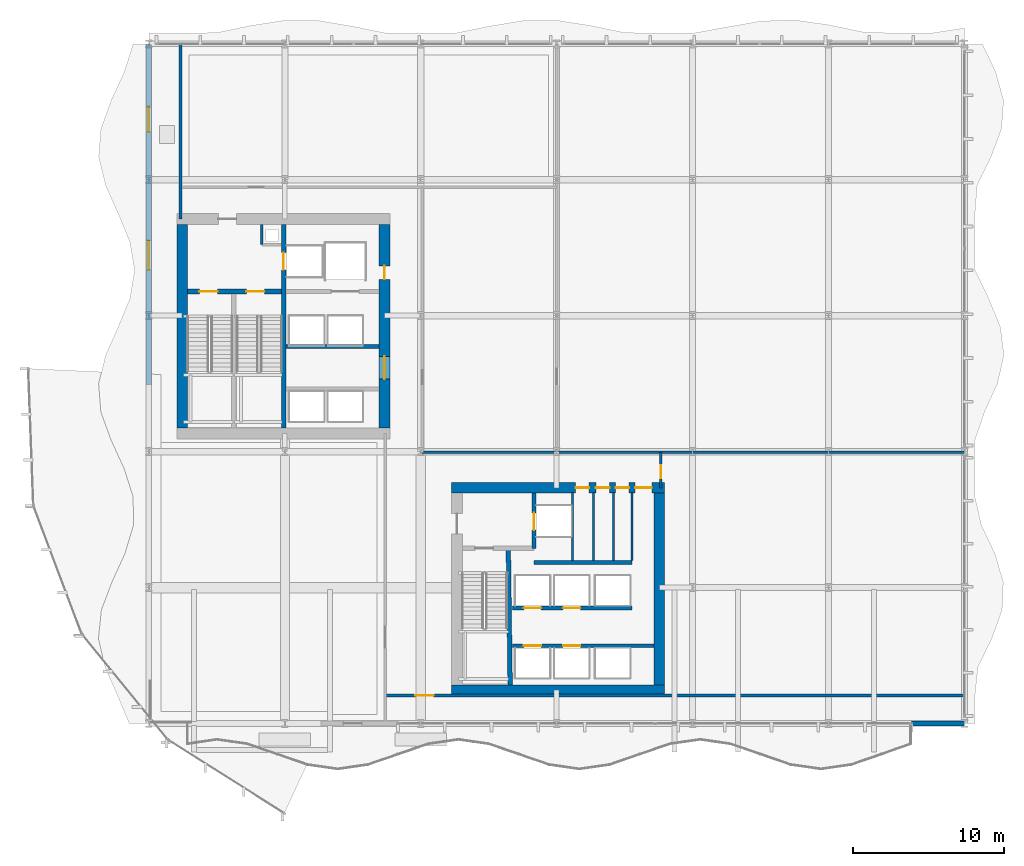
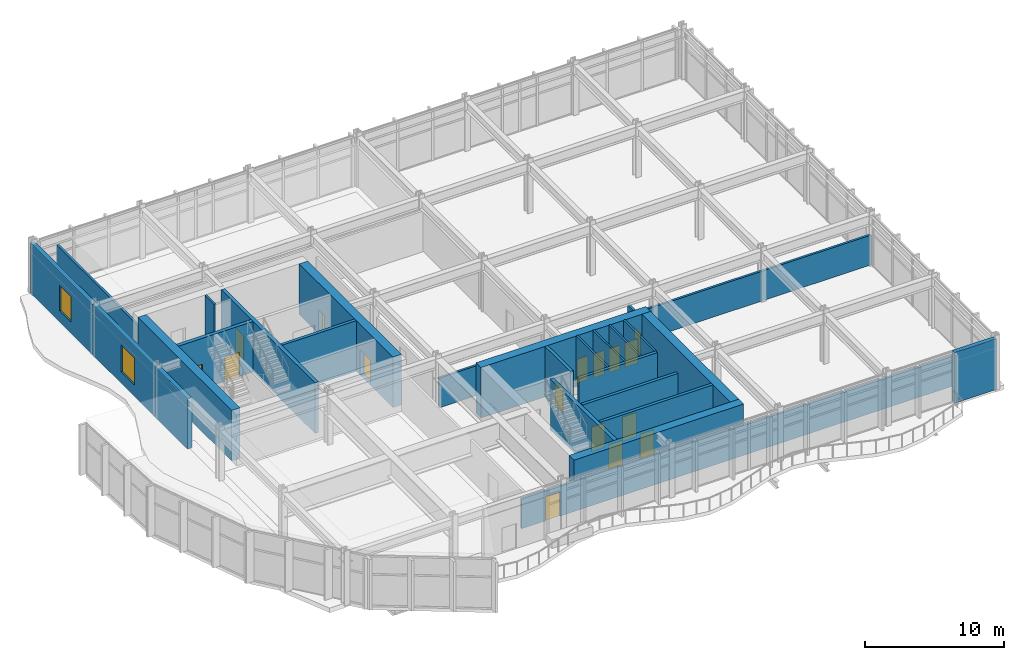
# One storey, part 22 of 31: 24 walls, 16 doors, 2 windows, 18 openings.
"""IFC4 building model written with IfcOpenShell, lengths in metres."""

import ifcopenshell
import ifcopenshell.guid

model = None  # the IFC model being written
_history = None  # IfcOwnerHistory: only IFC2X3 demands one
_inside = {}  # id of a spatial element -> (the spatial element, [elements in it])
_under = {}  # id of a project, library or spatial element -> (it, [spatial elements below it])
_declared = {}  # id of a project -> (the project, [libraries it declares])
_typed = {}  # id of a type object -> (the type object, [elements of that type])
_made_of = {}  # id of a material, layer set ... -> (it, [elements and type objects made of it])


def new_model(schema):
    """Start an empty IFC model of exactly this schema.

    Asked for "IFC4X3", IfcOpenShell would pick the latest addendum, in which some entities
    have other attributes; the version numbers below select the first issue.
    IFC2X3 requires an IfcOwnerHistory on every rooted entity: one is made here for all.
    """
    global model, _history
    if schema == "IFC4X3":
        model = ifcopenshell.file(schema_version=(4, 3, 0, 0))
    else:
        model = ifcopenshell.file(schema=schema)
    _inside.clear()
    _under.clear()
    _declared.clear()
    _typed.clear()
    _made_of.clear()
    _history = None
    if model.schema == "IFC2X3":
        org = make("IfcOrganization", Name="unknown")
        user = make(
            "IfcPersonAndOrganization",
            ThePerson=make("IfcPerson", FamilyName="unknown"),
            TheOrganization=org,
        )
        app = make(
            "IfcApplication",
            ApplicationDeveloper=org,
            Version="unknown",
            ApplicationFullName="unknown",
            ApplicationIdentifier="unknown",
        )
        _history = make(
            "IfcOwnerHistory",
            OwningUser=user,
            OwningApplication=app,
            ChangeAction="ADDED",
            CreationDate=0,
        )
    return model


def make(cls, **values):
    """One entity of the class cls with the attributes given. An attribute that is None is left unset."""
    return model.create_entity(
        cls, **{name: value for name, value in values.items() if value is not None}
    )


def rooted(cls, **values):
    """An entity with a GlobalId (a new one), such as an element, a storey or a relation."""
    return make(cls, GlobalId=ifcopenshell.guid.new(), OwnerHistory=_history, **values)


def si_unit(unit_type, name, prefix=None):
    """IfcSIUnit, for example si_unit("LENGTHUNIT", "METRE", prefix="MILLI")."""
    return make("IfcSIUnit", UnitType=unit_type, Prefix=prefix, Name=name)


def assignment(units):
    """IfcUnitAssignment: the units of a project."""
    return None if units is None else make("IfcUnitAssignment", Units=units)


def point(xyz):
    """IfcCartesianPoint."""
    return None if xyz is None else make("IfcCartesianPoint", Coordinates=xyz)


def direction(xyz):
    """IfcDirection."""
    return None if xyz is None else make("IfcDirection", DirectionRatios=xyz)


def frame(location, z_axis=None, x_axis=None):
    """IfcAxis2Placement3D, a coordinate frame: its origin and axes. An axis left out is left unset."""
    return make(
        "IfcAxis2Placement3D",
        Location=point(location),
        Axis=direction(z_axis),
        RefDirection=direction(x_axis),
    )


def frame_2d(location, x_axis=None):
    """IfcAxis2Placement2D, a coordinate frame in the plane: its origin and x axis."""
    return make(
        "IfcAxis2Placement2D", Location=point(location), RefDirection=direction(x_axis)
    )


def origin():
    """The frame at (0, 0, 0) with its axes left unset."""
    return frame((0.0, 0.0, 0.0))


def place(relative_to, where):
    """IfcLocalPlacement: puts the frame where relative to a parent placement (None: the world)."""
    return make(
        "IfcLocalPlacement", PlacementRelTo=relative_to, RelativePlacement=where
    )


def context(
    kind, dimensions, precision=None, world=None, true_north=None, identifier=None
):
    """IfcGeometricRepresentationContext, for example the 3D "Model" context."""
    return make(
        "IfcGeometricRepresentationContext",
        ContextIdentifier=identifier,
        ContextType=kind,
        CoordinateSpaceDimension=dimensions,
        Precision=precision,
        WorldCoordinateSystem=world,
        TrueNorth=true_north,
    )


def subcontext(parent, identifier, kind, view, scale=None):
    """IfcGeometricRepresentationSubContext, for example "Body" below "Model"."""
    return make(
        "IfcGeometricRepresentationSubContext",
        ContextIdentifier=identifier,
        ContextType=kind,
        ParentContext=parent,
        TargetScale=scale,
        TargetView=view,
    )


def project(units=None, contexts=None):
    """IfcProject with its units and contexts."""
    return rooted(
        "IfcProject",
        Name="project",
        RepresentationContexts=contexts,
        UnitsInContext=assignment(units),
    )


def spatial(cls, under=None, at=None, **own):
    """A site, building, storey or space (cls), placed at a placement, below another one or the project."""
    s = rooted(cls, ObjectPlacement=at, **own)
    if under is not None:
        _under.setdefault(under.id(), (under, []))[1].append(s)
    return s


def profile(cls, at=None, kind="AREA", **sizes):
    """A parametric profile (cls). Its sizes go by their IFC names, for example OverallWidth=200.0."""
    return make(cls, ProfileType=kind, Position=at, **sizes)


def rectangle(**sizes):
    """IfcRectangleProfileDef."""
    return profile("IfcRectangleProfileDef", **sizes)


def extrude(swept, where, along, depth):
    """IfcExtrudedAreaSolid: the profile swept, set in the frame where, extruded along a direction by depth."""
    return make(
        "IfcExtrudedAreaSolid",
        SweptArea=swept,
        Position=where,
        ExtrudedDirection=direction(along),
        Depth=depth,
    )


def shape(context_of_items, identifier, shape_type, items):
    """IfcShapeRepresentation: the items that make up one representation, for example the "Body"."""
    return make(
        "IfcShapeRepresentation",
        ContextOfItems=context_of_items,
        RepresentationIdentifier=identifier,
        RepresentationType=shape_type,
        Items=items,
    )


def material(Name=None, Category=None):
    """IfcMaterial."""
    return make("IfcMaterial", Name=Name, Category=Category)


def layer(
    of_material, thickness, ventilated=None, Name=None, Category=None, Priority=None
):
    """IfcMaterialLayer: one layer of a wall or slab, of a material (None: an air gap)."""
    return make(
        "IfcMaterialLayer",
        Material=of_material,
        LayerThickness=thickness,
        IsVentilated=ventilated,
        Name=Name,
        Category=Category,
        Priority=Priority,
    )


def layer_set(layers, Name=None):
    """IfcMaterialLayerSet."""
    return make("IfcMaterialLayerSet", MaterialLayers=layers, LayerSetName=Name)


def made_of(thing, what):
    """Note that an element or type object is made of a material, layer set ...; save() writes the relation."""
    if what is not None:
        _made_of.setdefault(what.id(), (what, []))[1].append(thing)
    return thing


def type_object(cls, material=None, **own):
    """A type object (cls), such as IfcWallType, which elements share."""
    return made_of(rooted(cls, **own), material)


def element(
    cls,
    number,
    at=None,
    inside=None,
    cuts=None,
    type_object=None,
    material=None,
    context=None,
    identifier="Body",
    shape_type=None,
    held_by="IfcProductDefinitionShape",
    body=None,
    shapes=None,
    **own,
):
    """One element of the class cls, such as IfcWall. Its Tag is "e" and its number.

    at: its placement. inside: the storey or other place that contains it. cuts: it is an
    opening in that element (IfcRelVoidsElement). A single representation is given by context,
    identifier, shape_type and body (its items); several are given by shapes. held_by: the class
    of the entity that holds the representations. save() writes the other relations.
    """
    e = rooted(cls, Tag="e%d" % number, ObjectPlacement=at, **own)
    if body is not None:
        shapes = [shape(context, identifier, shape_type, body)]
    if shapes is not None:
        e.Representation = make(held_by, Representations=shapes)
    if inside is not None:
        _inside.setdefault(inside.id(), (inside, []))[1].append(e)
    if cuts is not None:
        rooted(
            "IfcRelVoidsElement", RelatingBuildingElement=cuts, RelatedOpeningElement=e
        )
    if type_object is not None:
        _typed.setdefault(type_object.id(), (type_object, []))[1].append(e)
    return made_of(e, material)


def fill(opening, filler):
    """IfcRelFillsElement: the door or window that sits in an opening."""
    return rooted(
        "IfcRelFillsElement",
        RelatingOpeningElement=opening,
        RelatedBuildingElement=filler,
    )


def aggregate(whole, parts):
    """IfcRelAggregates: a whole, such as a stair, and the parts it consists of."""
    return rooted("IfcRelAggregates", RelatingObject=whole, RelatedObjects=parts)


def save(model, path):
    """Write the relations noted so far, then the file.

    IfcRelAggregates (storeys below a building ...), IfcRelContainedInSpatialStructure (elements
    in a storey), IfcRelDefinesByType, IfcRelAssociatesMaterial and IfcRelDeclares: one each for
    every whole, place, type object, material and project.
    """
    for whole, parts in _under.values():
        aggregate(whole, parts)
    for where, things in _inside.values():
        rooted(
            "IfcRelContainedInSpatialStructure",
            RelatedElements=things,
            RelatingStructure=where,
        )
    for kind, things in _typed.values():
        rooted("IfcRelDefinesByType", RelatedObjects=things, RelatingType=kind)
    for what, things in _made_of.values():
        rooted("IfcRelAssociatesMaterial", RelatedObjects=things, RelatingMaterial=what)
    for by, libraries in _declared.values():
        rooted("IfcRelDeclares", RelatingContext=by, RelatedDefinitions=libraries)
    model.write(path)


model = new_model("IFC4")

# Units and contexts
model_context = context("Model", 3, precision=1e-05, world=origin(), true_north=direction((0.0, 1.0)))
body_context = subcontext(model_context, "Body", "Model", "MODEL_VIEW")
ifc_project = project(units=[si_unit("LENGTHUNIT", "METRE"), si_unit("AREAUNIT", "SQUARE_METRE"), si_unit("VOLUMEUNIT", "CUBIC_METRE"), si_unit("PLANEANGLEUNIT", "RADIAN"), si_unit("MASSUNIT", "GRAM", prefix="KILO")], contexts=[model_context])

# Site, building, storey
site_placement = place(None, origin())
site = spatial("IfcSite", under=ifc_project, at=site_placement, CompositionType="ELEMENT")
building_placement = place(site_placement, origin())
building = spatial("IfcBuilding", under=site, at=building_placement, Name="Solvaryn Broadcast Tower", CompositionType="ELEMENT")
storey_placement = place(building_placement, frame((0.0, 0.0, 26.0)))
storey = spatial("IfcBuildingStorey", under=building, at=storey_placement, Name="L05", CompositionType="ELEMENT", Elevation=26.0)

# Wall
ifc_material_1 = material(Name="Concrete f'c 70 MPa", Category="concrete")
ifc_layer_1 = layer(ifc_material_1, 0.699951171875)
ifc_layer_set_1 = layer_set([ifc_layer_1], Name="CW-SHEAR-700")
wall_type_1 = type_object("IfcWallType", Name="CW-SHEAR-700", PredefinedType="SHEAR", material=ifc_layer_set_1)
wall_1_placement = place(storey_placement, frame((11.199951171875, 42.050048828125, 0.0), z_axis=(0.0, 0.0, 1.0), x_axis=(0.0, -1.0, 0.0)))
element("IfcWall", 1, at=wall_1_placement, inside=storey, type_object=wall_type_1, Name="L05 West Core West Shear Wall", PredefinedType="SHEAR", context=body_context, shape_type="SweptSolid", body=[
    extrude(rectangle(XDim=13.5, YDim=0.699951171875, at=frame_2d((6.75, 0.0))), origin(), (0.0, 0.0, 1.0), 4.43994140625),
])

# Wall, openings, doors
wall_2_placement = place(storey_placement, frame((24.60009765625, 28.550048828125, 0.0), z_axis=(0.0, 0.0, 1.0), x_axis=(0.0, 1.0, 0.0)))
wall_2 = element("IfcWall", 2, at=wall_2_placement, inside=storey, type_object=wall_type_1, Name="L05 West Core East Shear Wall", PredefinedType="SHEAR", context=body_context, shape_type="SweptSolid", body=[
    extrude(rectangle(XDim=13.5, YDim=0.699951171875, at=frame_2d((6.75, 0.0))), origin(), (0.0, 0.0, 1.0), 4.43994140625),
])
opening_1_placement = place(wall_2_placement, frame((3.25, 0.0, 0.0)))
opening_1 = element("IfcOpeningElement", 3, at=opening_1_placement, cuts=wall_2, Name="Opening FD60A", PredefinedType="OPENING", context=body_context, shape_type="SweptSolid", body=[
    extrude(rectangle(XDim=1.5, YDim=2.199951171875, at=frame_2d((0.75, 1.10009765625))), frame((0.0, 0.360107421875, 0.0), z_axis=(0.0, -1.0, 0.0), x_axis=(1.0, 0.0, 0.0)), (0.0, 0.0, 1.0), 0.719970703125),
])
opening_2_placement = place(wall_2_placement, frame((9.85009765625, 0.0, 0.0)))
opening_2 = element("IfcOpeningElement", 4, at=opening_2_placement, cuts=wall_2, Name="Opening FD60C", PredefinedType="OPENING", context=body_context, shape_type="SweptSolid", body=[
    extrude(rectangle(XDim=0.89990234375, YDim=2.10009765625, at=frame_2d((0.449951171875, 1.050048828125))), frame((0.0, 0.360107421875, 0.0), z_axis=(0.0, -1.0, 0.0), x_axis=(1.0, 0.0, 0.0)), (0.0, 0.0, 1.0), 0.719970703125),
])
ifc_material_2 = material(Name="Flush Acoustic Steel and Timber Door Assembly", Category="steel")
door_type_1 = type_object("IfcDoorType", Name="FD60-CORR-1500X2200", OperationType="NOTDEFINED", PredefinedType="DOOR", material=ifc_material_2)
door_1_placement = place(opening_1_placement, origin())
door_1 = element("IfcDoor", 5, at=door_1_placement, inside=storey, type_object=door_type_1, Name="L05 West Elevator Lobby Corridor Door", OperationType="DOUBLE_DOOR_SINGLE_SWING", OverallHeight=2.199951171875, OverallWidth=1.5, PredefinedType="DOOR", context=body_context, shape_type="SweptSolid", body=[
    extrude(rectangle(XDim=1.5, YDim=2.199951171875, at=frame_2d((0.75, 1.10009765625))), frame((0.0, 0.02490234375, 0.0), z_axis=(0.0, -1.0, 0.0), x_axis=(1.0, 0.0, 0.0)), (0.0, 0.0, 1.0), 0.050048828125),
])
fill(opening_1, door_1)
ifc_material_3 = material(Name="Flush Acoustic Steel and Timber Door Assembly", Category="steel")
door_type_2 = type_object("IfcDoorType", Name="FD60-SERV-900X2100", OperationType="NOTDEFINED", PredefinedType="DOOR", material=ifc_material_3)
door_2_placement = place(opening_2_placement, origin())
door_2 = element("IfcDoor", 6, at=door_2_placement, inside=storey, type_object=door_type_2, Name="L05 West Core Service Door 1", OperationType="SINGLE_SWING_LEFT", OverallHeight=2.10009765625, OverallWidth=0.89990234375, PredefinedType="DOOR", context=body_context, shape_type="SweptSolid", body=[
    extrude(rectangle(XDim=0.89990234375, YDim=2.10009765625, at=frame_2d((0.449951171875, 1.050048828125))), frame((0.0, 0.02490234375, 0.0), z_axis=(0.0, -1.0, 0.0), x_axis=(1.0, 0.0, 0.0)), (0.0, 0.0, 1.0), 0.050048828125),
])
fill(opening_2, door_2)

# Wall
wall_3_placement = place(storey_placement, frame((29.050048828125, 11.199951171875, 0.0), z_axis=(0.0, 0.0, 1.0), x_axis=(1.0, 0.0, 0.0)))
element("IfcWall", 7, at=wall_3_placement, inside=storey, type_object=wall_type_1, Name="L05 East Core South Shear Wall", PredefinedType="SHEAR", context=body_context, shape_type="SweptSolid", body=[
    extrude(rectangle(XDim=14.099853515625, YDim=0.699951171875, at=frame_2d((7.0498046875, 0.0))), origin(), (0.0, 0.0, 1.0), 4.43994140625),
])

# Wall, openings, doors
wall_4_placement = place(storey_placement, frame((43.14990234375, 24.60009765625, 0.0), z_axis=(0.0, 0.0, 1.0), x_axis=(-1.0, 0.0, 0.0)))
wall_4 = element("IfcWall", 8, at=wall_4_placement, inside=storey, type_object=wall_type_1, Name="L05 East Core North Shear Wall", PredefinedType="SHEAR", context=body_context, shape_type="SweptSolid", body=[
    extrude(rectangle(XDim=14.099853515625, YDim=0.699951171875, at=frame_2d((7.0498046875, 0.0))), origin(), (0.0, 0.0, 1.0), 4.43994140625),
])
opening_3_placement = place(wall_4_placement, frame((0.85009765625, 0.0, 0.0)))
opening_3 = element("IfcOpeningElement", 9, at=opening_3_placement, cuts=wall_4, Name="Opening FD90C", PredefinedType="OPENING", context=body_context, shape_type="SweptSolid", body=[
    extrude(rectangle(XDim=1.10009765625, YDim=2.14990234375, at=frame_2d((0.550048828125, 1.074951171875))), frame((0.0, 0.360107421875, 0.0), z_axis=(0.0, -1.0, 0.0), x_axis=(1.0, 0.0, 0.0)), (0.0, 0.0, 1.0), 0.719970703125),
])
opening_4_placement = place(wall_4_placement, frame((2.35009765625, 0.0, 0.0)))
opening_4 = element("IfcOpeningElement", 10, at=opening_4_placement, cuts=wall_4, Name="Opening FD60C", PredefinedType="OPENING", context=body_context, shape_type="SweptSolid", body=[
    extrude(rectangle(XDim=0.89990234375, YDim=2.10009765625, at=frame_2d((0.449951171875, 1.050048828125))), frame((0.0, 0.360107421875, 0.0), z_axis=(0.0, -1.0, 0.0), x_axis=(1.0, 0.0, 0.0)), (0.0, 0.0, 1.0), 0.719970703125),
])
opening_5_placement = place(wall_4_placement, frame((3.64990234375, 0.0, 0.0)))
opening_5 = element("IfcOpeningElement", 11, at=opening_5_placement, cuts=wall_4, Name="Opening FD60C", PredefinedType="OPENING", context=body_context, shape_type="SweptSolid", body=[
    extrude(rectangle(XDim=0.89990234375, YDim=2.10009765625, at=frame_2d((0.449951171875, 1.050048828125))), frame((0.0, 0.360107421875, 0.0), z_axis=(0.0, -1.0, 0.0), x_axis=(1.0, 0.0, 0.0)), (0.0, 0.0, 1.0), 0.719970703125),
])
opening_6_placement = place(wall_4_placement, frame((5.0, 0.0, 0.0)))
opening_6 = element("IfcOpeningElement", 12, at=opening_6_placement, cuts=wall_4, Name="Opening FD60C", PredefinedType="OPENING", context=body_context, shape_type="SweptSolid", body=[
    extrude(rectangle(XDim=0.89990234375, YDim=2.10009765625, at=frame_2d((0.449951171875, 1.050048828125))), frame((0.0, 0.360107421875, 0.0), z_axis=(0.0, -1.0, 0.0), x_axis=(1.0, 0.0, 0.0)), (0.0, 0.0, 1.0), 0.719970703125),
])
door_3_placement = place(opening_4_placement, origin())
door_3 = element("IfcDoor", 13, at=door_3_placement, inside=storey, type_object=door_type_2, Name="L05 Core Wellness Room Door", OperationType="SINGLE_SWING_RIGHT", OverallHeight=2.10009765625, OverallWidth=0.89990234375, PredefinedType="DOOR", context=body_context, shape_type="SweptSolid", body=[
    extrude(rectangle(XDim=0.89990234375, YDim=2.10009765625, at=frame_2d((0.449951171875, 1.050048828125))), frame((0.0, 0.02490234375, 0.0), z_axis=(0.0, -1.0, 0.0), x_axis=(1.0, 0.0, 0.0)), (0.0, 0.0, 1.0), 0.050048828125),
])
fill(opening_4, door_3)
door_4_placement = place(opening_5_placement, origin())
door_4 = element("IfcDoor", 14, at=door_4_placement, inside=storey, type_object=door_type_2, Name="L05 Staff Restroom Door", OperationType="SINGLE_SWING_LEFT", OverallHeight=2.10009765625, OverallWidth=0.89990234375, PredefinedType="DOOR", context=body_context, shape_type="SweptSolid", body=[
    extrude(rectangle(XDim=0.89990234375, YDim=2.10009765625, at=frame_2d((0.449951171875, 1.050048828125))), frame((0.0, 0.02490234375, 0.0), z_axis=(0.0, -1.0, 0.0), x_axis=(1.0, 0.0, 0.0)), (0.0, 0.0, 1.0), 0.050048828125),
])
fill(opening_5, door_4)
door_5_placement = place(opening_6_placement, origin())
door_5 = element("IfcDoor", 15, at=door_5_placement, inside=storey, type_object=door_type_2, Name="L05 Accessible WC Door", OperationType="SINGLE_SWING_RIGHT", OverallHeight=2.10009765625, OverallWidth=0.89990234375, PredefinedType="DOOR", context=body_context, shape_type="SweptSolid", body=[
    extrude(rectangle(XDim=0.89990234375, YDim=2.10009765625, at=frame_2d((0.449951171875, 1.050048828125))), frame((0.0, 0.02490234375, 0.0), z_axis=(0.0, -1.0, 0.0), x_axis=(1.0, 0.0, 0.0)), (0.0, 0.0, 1.0), 0.050048828125),
])
fill(opening_6, door_5)
ifc_material_4 = material(Name="Flush Acoustic Steel and Timber Door Assembly", Category="steel")
door_type_3 = type_object("IfcDoorType", Name="FD90-PLANT-1100X2150", OperationType="NOTDEFINED", PredefinedType="DOOR", material=ifc_material_4)
door_6_placement = place(opening_3_placement, origin())
door_6 = element("IfcDoor", 16, at=door_6_placement, inside=storey, type_object=door_type_3, Name="L05 East Core Lobby Corridor Door", OperationType="SINGLE_SWING_LEFT", OverallHeight=2.14990234375, OverallWidth=1.10009765625, PredefinedType="DOOR", context=body_context, shape_type="SweptSolid", body=[
    extrude(rectangle(XDim=1.10009765625, YDim=2.14990234375, at=frame_2d((0.550048828125, 1.074951171875))), frame((0.0, 0.02490234375, 0.0), z_axis=(0.0, -1.0, 0.0), x_axis=(1.0, 0.0, 0.0)), (0.0, 0.0, 1.0), 0.050048828125),
])
fill(opening_3, door_6)

# Walls
wall_5_placement = place(storey_placement, frame((42.800048828125, 11.550048828125, 0.0), z_axis=(0.0, 0.0, 1.0), x_axis=(0.0, 1.0, 0.0)))
element("IfcWall", 17, at=wall_5_placement, inside=storey, type_object=wall_type_1, Name="L05 East Core East Shear Wall", PredefinedType="SHEAR", context=body_context, shape_type="SweptSolid", body=[
    extrude(rectangle(XDim=12.699951171875, YDim=0.699951171875, at=frame_2d((6.35009765625, 0.0))), origin(), (0.0, 0.0, 1.0), 4.43994140625),
])
ifc_material_5 = material(Name="Concrete f'c 50 MPa", Category="concrete")
ifc_layer_2 = layer(ifc_material_5, 0.35009765625)
ifc_layer_set_2 = layer_set([ifc_layer_2], Name="EW-STUDIO-350")
wall_type_2 = type_object("IfcWallType", Name="EW-STUDIO-350", PredefinedType="SOLIDWALL", material=ifc_layer_set_2)
wall_6_placement = place(storey_placement, frame((63.0, 9.0, 0.0), z_axis=(0.0, 0.0, 1.0), x_axis=(-1.0, 0.0, 0.0)))
element("IfcWall", 18, at=wall_6_placement, inside=storey, type_object=wall_type_2, Name="L05 Podium SE Corner Pier Wall", PredefinedType="SOLIDWALL", context=body_context, shape_type="SweptSolid", body=[
    extrude(rectangle(XDim=3.5, YDim=0.35009765625, at=frame_2d((1.75, 0.0))), origin(), (0.0, 0.0, 1.0), 4.43994140625),
])

# Wall, openings, windows
wall_7_placement = place(storey_placement, frame((9.0, 31.39990234375, 0.0), z_axis=(0.0, 0.0, 1.0), x_axis=(0.0, 1.0, 0.0)))
wall_7 = element("IfcWall", 19, at=wall_7_placement, inside=storey, type_object=wall_type_2, Name="L05 Podium West Door & Corner Wall", PredefinedType="SOLIDWALL", context=body_context, shape_type="SweptSolid", body=[
    extrude(rectangle(XDim=22.60009765625, YDim=0.35009765625, at=frame_2d((11.300048828125, 0.0))), origin(), (0.0, 0.0, 1.0), 4.43994140625),
])
opening_7_placement = place(wall_7_placement, frame((7.625, 0.0, 1.0)))
opening_7 = element("IfcOpeningElement", 20, at=opening_7_placement, cuts=wall_7, Name="Opening WN10", PredefinedType="OPENING", context=body_context, shape_type="SweptSolid", body=[
    extrude(rectangle(XDim=1.949951171875, YDim=2.39990234375, at=frame_2d((0.97509765625, 1.199951171875))), frame((0.0, 0.18505859375, 0.0), z_axis=(0.0, -1.0, 0.0), x_axis=(1.0, 0.0, 0.0)), (0.0, 0.0, 1.0), 0.3701171875),
])
opening_8_placement = place(wall_7_placement, frame((16.77490234375, 0.0, 1.0)))
opening_8 = element("IfcOpeningElement", 21, at=opening_8_placement, cuts=wall_7, Name="Opening WN09", PredefinedType="OPENING", context=body_context, shape_type="SweptSolid", body=[
    extrude(rectangle(XDim=1.64990234375, YDim=2.25, at=frame_2d((0.824951171875, 1.125))), frame((0.0, 0.18505859375, 0.0), z_axis=(0.0, -1.0, 0.0), x_axis=(1.0, 0.0, 0.0)), (0.0, 0.0, 1.0), 0.3701171875),
])
ifc_material_6 = material(Name="Thermally Broken Aluminium Acoustic Glazing", Category="aluminium")
window_type_1 = type_object("IfcWindowType", Name="WN-09-1650X2250", PartitioningType="SINGLE_PANEL", PredefinedType="WINDOW", material=ifc_material_6)
window_1_placement = place(opening_8_placement, origin())
window_1 = element("IfcWindow", 22, at=window_1_placement, inside=storey, type_object=window_type_1, Name="L05 West Studio Acoustic Window 2", OverallHeight=2.25, OverallWidth=1.64990234375, PartitioningType="SINGLE_PANEL", PredefinedType="WINDOW", context=body_context, shape_type="SweptSolid", body=[
    extrude(rectangle(XDim=1.64990234375, YDim=2.25, at=frame_2d((0.824951171875, 1.125))), frame((0.0, 0.030029296875, 0.0), z_axis=(0.0, -1.0, 0.0), x_axis=(1.0, 0.0, 0.0)), (0.0, 0.0, 1.0), 0.06005859375),
])
fill(opening_8, window_1)
ifc_material_7 = material(Name="Thermally Broken Aluminium Acoustic Glazing", Category="aluminium")
window_type_2 = type_object("IfcWindowType", Name="WN-10-1950X2400", PartitioningType="SINGLE_PANEL", PredefinedType="WINDOW", material=ifc_material_7)
window_2_placement = place(opening_7_placement, origin())
window_2 = element("IfcWindow", 23, at=window_2_placement, inside=storey, type_object=window_type_2, Name="L05 West Studio Acoustic Window 1", OverallHeight=2.39990234375, OverallWidth=1.949951171875, PartitioningType="SINGLE_PANEL", PredefinedType="WINDOW", context=body_context, shape_type="SweptSolid", body=[
    extrude(rectangle(XDim=1.949951171875, YDim=2.39990234375, at=frame_2d((0.97509765625, 1.199951171875))), frame((0.0, 0.030029296875, 0.0), z_axis=(0.0, -1.0, 0.0), x_axis=(1.0, 0.0, 0.0)), (0.0, 0.0, 1.0), 0.06005859375),
])
fill(opening_7, window_2)

# Walls
ifc_material_8 = material(Name="Metal-Stud Service Core Partition")
ifc_layer_3 = layer(ifc_material_8, 0.14990234375)
ifc_layer_set_3 = layer_set([ifc_layer_3], Name="IW-PART-150")
wall_type_3 = type_object("IfcWallType", Name="IW-PART-150", PredefinedType="PARTITIONING", material=ifc_layer_set_3)
wall_8_placement = place(storey_placement, frame((16.47998046875, 40.699951171875, 0.0), z_axis=(0.0, 0.0, 1.0), x_axis=(0.0, 1.0, 0.0)))
element("IfcWall", 24, at=wall_8_placement, inside=storey, type_object=wall_type_3, Name="L05 West Core Riser Shaft West Wall", PredefinedType="PARTITIONING", context=body_context, shape_type="SweptSolid", body=[
    extrude(rectangle(XDim=1.35009765625, YDim=0.14990234375, at=frame_2d((0.675048828125, 0.0))), origin(), (0.0, 0.0, 1.0), 4.43994140625),
])
for number, where, z_axis, x_axis, name in (
    (25, (37.050048828125, 19.780029296875, 0.0), (0.0, 0.0, 1.0), (0.0, 1.0, 0.0), "L05 Interior Partition IW-L05-CE-FL2E"),
    (26, (38.43994140625, 19.780029296875, 0.0), (0.0, 0.0, 1.0), (0.0, 1.0, 0.0), "L05 Interior Partition IW-L05-CE-V1"),
    (27, (39.77001953125, 19.780029296875, 0.0), (0.0, 0.0, 1.0), (0.0, 1.0, 0.0), "L05 Interior Partition IW-L05-CE-V2"),
    (28, (40.97998046875, 19.780029296875, 0.0), (0.0, 0.0, 1.0), (0.0, 1.0, 0.0), "L05 Interior Partition IW-L05-CE-V3"),
):
    element("IfcWall", number, at=place(storey_placement, frame(where, z_axis=z_axis, x_axis=x_axis)), inside=storey, type_object=wall_type_3, Name=name, PredefinedType="PARTITIONING", context=body_context, shape_type="SweptSolid", body=[
        extrude(rectangle(XDim=4.52001953125, YDim=0.14990234375, at=frame_2d((2.260009765625, 0.0))), origin(), (0.0, 0.0, 1.0), 4.43994140625),
    ])

# Wall, opening, door
ifc_material_9 = material(Name="Acoustic Metal-Stud Gypsum Partition")
ifc_layer_4 = layer(ifc_material_9, 0.179931640625)
ifc_layer_set_4 = layer_set([ifc_layer_4], Name="IW-PART-180")
wall_type_4 = type_object("IfcWallType", Name="IW-PART-180", PredefinedType="PARTITIONING", material=ifc_layer_set_4)
wall_9_placement = place(storey_placement, frame((24.64990234375, 10.85009765625, 0.0), z_axis=(0.0, 0.0, 1.0), x_axis=(1.0, 0.0, 0.0)))
wall_9 = element("IfcWall", 29, at=wall_9_placement, inside=storey, type_object=wall_type_4, Name="L05 Interior Partition IW-L05-PW2", PredefinedType="PARTITIONING", context=body_context, shape_type="SweptSolid", body=[
    extrude(rectangle(XDim=38.35009765625, YDim=0.179931640625, at=frame_2d((19.175048828125, 0.0))), origin(), (0.0, 0.0, 1.0), 2.6201171875),
])
opening_9_placement = place(wall_9_placement, frame((2.0, 0.0, 0.0)))
opening_9 = element("IfcOpeningElement", 30, at=opening_9_placement, cuts=wall_9, Name="Opening ID04", PredefinedType="OPENING", context=body_context, shape_type="SweptSolid", body=[
    extrude(rectangle(XDim=1.199951171875, YDim=2.14990234375, at=frame_2d((0.60009765625, 1.074951171875))), frame((0.0, 0.099853515625, 0.0), z_axis=(0.0, -1.0, 0.0), x_axis=(1.0, 0.0, 0.0)), (0.0, 0.0, 1.0), 0.199951171875),
])
ifc_material_10 = material(Name="Flush Acoustic Steel and Timber Door Assembly", Category="steel")
door_type_4 = type_object("IfcDoorType", Name="ID-04-1200X2150", OperationType="NOTDEFINED", PredefinedType="DOOR", material=ifc_material_10)
door_7_placement = place(opening_9_placement, origin())
door_7 = element("IfcDoor", 31, at=door_7_placement, inside=storey, type_object=door_type_4, Name="L05 Door DR-L05-PD2", OperationType="SINGLE_SWING_RIGHT", OverallHeight=2.14990234375, OverallWidth=1.199951171875, PredefinedType="DOOR", context=body_context, shape_type="SweptSolid", body=[
    extrude(rectangle(XDim=1.199951171875, YDim=2.14990234375, at=frame_2d((0.60009765625, 1.074951171875))), frame((0.0, 0.02490234375, 0.0), z_axis=(0.0, -1.0, 0.0), x_axis=(1.0, 0.0, 0.0)), (0.0, 0.0, 1.0), 0.050048828125),
])
fill(opening_9, door_7)

wall_10_placement = place(storey_placement, frame((42.89990234375, 24.60009765625, 0.0), z_axis=(0.0, 0.0, 1.0), x_axis=(0.0, 1.0, 0.0)))
wall_10 = element("IfcWall", 32, at=wall_10_placement, inside=storey, type_object=wall_type_4, Name="L05 Interior Partition IW-L05-PW4", PredefinedType="PARTITIONING", context=body_context, shape_type="SweptSolid", body=[
    extrude(rectangle(XDim=2.349853515625, YDim=0.179931640625, at=frame_2d((1.1748046875, 0.0))), origin(), (0.0, 0.0, 1.0), 3.492919921875),
])
opening_10_placement = place(wall_10_placement, frame((0.64990234375, 0.0, 0.0)))
opening_10 = element("IfcOpeningElement", 33, at=opening_10_placement, cuts=wall_10, Name="Opening ID07", PredefinedType="OPENING", context=body_context, shape_type="SweptSolid", body=[
    extrude(rectangle(XDim=0.860107421875, YDim=2.050048828125, at=frame_2d((0.43017578125, 1.02490234375))), frame((0.0, 0.099853515625, 0.0), z_axis=(0.0, -1.0, 0.0), x_axis=(1.0, 0.0, 0.0)), (0.0, 0.0, 1.0), 0.199951171875),
])
ifc_material_11 = material(Name="Flush Acoustic Steel and Timber Door Assembly", Category="steel")
door_type_5 = type_object("IfcDoorType", Name="ID-07-860X2050", OperationType="NOTDEFINED", PredefinedType="DOOR", material=ifc_material_11)
door_8_placement = place(opening_10_placement, origin())
door_8 = element("IfcDoor", 34, at=door_8_placement, inside=storey, type_object=door_type_5, Name="L05 Door DR-L05-PD3", OperationType="SINGLE_SWING_LEFT", OverallHeight=2.050048828125, OverallWidth=0.860107421875, PredefinedType="DOOR", context=body_context, shape_type="SweptSolid", body=[
    extrude(rectangle(XDim=0.860107421875, YDim=2.050048828125, at=frame_2d((0.43017578125, 1.02490234375))), frame((0.0, 0.02490234375, 0.0), z_axis=(0.0, -1.0, 0.0), x_axis=(1.0, 0.0, 0.0)), (0.0, 0.0, 1.0), 0.050048828125),
])
fill(opening_10, door_8)

# Walls
wall_11_placement = place(storey_placement, frame((27.10009765625, 26.949951171875, 0.0), z_axis=(0.0, 0.0, 1.0), x_axis=(1.0, 0.0, 0.0)))
element("IfcWall", 35, at=wall_11_placement, inside=storey, type_object=wall_type_4, Name="L05 Interior Partition IW-L05-PW5", PredefinedType="PARTITIONING", context=body_context, shape_type="SweptSolid", body=[
    extrude(rectangle(XDim=35.89990234375, YDim=0.179931640625, at=frame_2d((17.949951171875, 0.0))), origin(), (0.0, 0.0, 1.0), 2.6201171875),
])
wall_12_placement = place(storey_placement, frame((11.10009765625, 42.39990234375, 0.0), z_axis=(0.0, 0.0, 1.0), x_axis=(0.0, 1.0, 0.0)))
element("IfcWall", 36, at=wall_12_placement, inside=storey, type_object=wall_type_4, Name="L05 Interior Partition IW-L05-PW9", PredefinedType="PARTITIONING", context=body_context, shape_type="SweptSolid", body=[
    extrude(rectangle(XDim=11.60009765625, YDim=0.179931640625, at=frame_2d((5.800048828125, 0.0))), origin(), (0.0, 0.0, 1.0), 3.492919921875),
])
ifc_material_12 = material(Name="Concrete f'c 60 MPa", Category="concrete")
ifc_layer_5 = layer(ifc_material_12, 0.25)
ifc_layer_set_5 = layer_set([ifc_layer_5], Name="SW-SHAFT-250")
wall_type_5 = type_object("IfcWallType", Name="SW-SHAFT-250", PredefinedType="PARTITIONING", material=ifc_layer_set_5)
wall_13_placement = place(storey_placement, frame((24.25, 33.949951171875, 0.0), z_axis=(0.0, 0.0, 1.0), x_axis=(-1.0, 0.0, 0.0)))
element("IfcWall", 37, at=wall_13_placement, inside=storey, type_object=wall_type_5, Name="L05 High-Rise Lift Bank North Wall", PredefinedType="PARTITIONING", context=body_context, shape_type="SweptSolid", body=[
    extrude(rectangle(XDim=6.179931640625, YDim=0.25, at=frame_2d((3.08984375, 0.0))), origin(), (0.0, 0.0, 1.0), 4.43994140625),
])

# Wall, opening, door
wall_14_placement = place(storey_placement, frame((34.5, 20.60009765625, 0.0), z_axis=(0.0, 0.0, 1.0), x_axis=(0.0, 1.0, 0.0)))
wall_14 = element("IfcWall", 38, at=wall_14_placement, inside=storey, type_object=wall_type_5, Name="L05 East FSAE Lobby East Wall", PredefinedType="PARTITIONING", context=body_context, shape_type="SweptSolid", body=[
    extrude(rectangle(XDim=3.64990234375, YDim=0.25, at=frame_2d((1.824951171875, 0.0))), origin(), (0.0, 0.0, 1.0), 4.43994140625),
])
opening_11_placement = place(wall_14_placement, frame((1.199951171875, 0.0, 0.0)))
opening_11 = element("IfcOpeningElement", 39, at=opening_11_placement, cuts=wall_14, Name="Opening LD01", PredefinedType="OPENING", context=body_context, shape_type="SweptSolid", body=[
    extrude(rectangle(XDim=1.14990234375, YDim=2.14990234375, at=frame_2d((0.574951171875, 1.074951171875))), frame((0.0, 0.135009765625, 0.0), z_axis=(0.0, -1.0, 0.0), x_axis=(1.0, 0.0, 0.0)), (0.0, 0.0, 1.0), 0.27001953125),
])
ifc_material_13 = material(Name="Flush Acoustic Steel and Timber Door Assembly", Category="steel")
door_type_6 = type_object("IfcDoorType", Name="LD-LIFT-1150X2150", OperationType="NOTDEFINED", PredefinedType="DOOR", material=ifc_material_13)
door_9_placement = place(opening_11_placement, origin())
door_9 = element("IfcDoor", 40, at=door_9_placement, inside=storey, type_object=door_type_6, Name="L05 FL2 Lift Landing Door", OperationType="DOUBLE_DOOR_SLIDING", OverallHeight=2.14990234375, OverallWidth=1.14990234375, PredefinedType="DOOR", context=body_context, shape_type="SweptSolid", body=[
    extrude(rectangle(XDim=1.14990234375, YDim=2.14990234375, at=frame_2d((0.574951171875, 1.074951171875))), frame((0.0, 0.02490234375, 0.0), z_axis=(0.0, -1.0, 0.0), x_axis=(1.0, 0.0, 0.0)), (0.0, 0.0, 1.0), 0.050048828125),
])
fill(opening_11, door_9)

# Wall
wall_15_placement = place(storey_placement, frame((34.5, 19.64990234375, 0.0), z_axis=(0.0, 0.0, 1.0), x_axis=(1.0, 0.0, 0.0)))
element("IfcWall", 41, at=wall_15_placement, inside=storey, type_object=wall_type_5, Name="L05 East Core Restroom South Wall", PredefinedType="PARTITIONING", context=body_context, shape_type="SweptSolid", body=[
    extrude(rectangle(XDim=6.47998046875, YDim=0.25, at=frame_2d((3.239990234375, 0.0))), origin(), (0.0, 0.0, 1.0), 4.43994140625),
])

# Wall, openings, doors
wall_16_placement = place(storey_placement, frame((33.070068359375, 14.14990234375, 0.0), z_axis=(0.0, 0.0, 1.0), x_axis=(1.0, 0.0, 0.0)))
wall_16 = element("IfcWall", 42, at=wall_16_placement, inside=storey, type_object=wall_type_5, Name="L05 East Lift Bank South Wall", PredefinedType="PARTITIONING", context=body_context, shape_type="SweptSolid", body=[
    extrude(rectangle(XDim=9.3798828125, YDim=0.25, at=frame_2d((4.68994140625, 0.0))), origin(), (0.0, 0.0, 1.0), 4.43994140625),
])
opening_12_placement = place(wall_16_placement, frame((0.7548828125, 0.0, 0.0)))
opening_12 = element("IfcOpeningElement", 43, at=opening_12_placement, cuts=wall_16, Name="Opening LD01", PredefinedType="OPENING", context=body_context, shape_type="SweptSolid", body=[
    extrude(rectangle(XDim=1.14990234375, YDim=2.14990234375, at=frame_2d((0.574951171875, 1.074951171875))), frame((0.0, 0.135009765625, 0.0), z_axis=(0.0, -1.0, 0.0), x_axis=(1.0, 0.0, 0.0)), (0.0, 0.0, 1.0), 0.27001953125),
])
opening_13_placement = place(wall_16_placement, frame((3.35498046875, 0.0, 0.0)))
opening_13 = element("IfcOpeningElement", 44, at=opening_13_placement, cuts=wall_16, Name="Opening LD01", PredefinedType="OPENING", context=body_context, shape_type="SweptSolid", body=[
    extrude(rectangle(XDim=1.14990234375, YDim=2.14990234375, at=frame_2d((0.574951171875, 1.074951171875))), frame((0.0, 0.135009765625, 0.0), z_axis=(0.0, -1.0, 0.0), x_axis=(1.0, 0.0, 0.0)), (0.0, 0.0, 1.0), 0.27001953125),
])
door_10_placement = place(opening_12_placement, origin())
door_10 = element("IfcDoor", 45, at=door_10_placement, inside=storey, type_object=door_type_6, Name="L05 PL1 Lift Landing Door", OperationType="DOUBLE_DOOR_SLIDING", OverallHeight=2.14990234375, OverallWidth=1.14990234375, PredefinedType="DOOR", context=body_context, shape_type="SweptSolid", body=[
    extrude(rectangle(XDim=1.14990234375, YDim=2.14990234375, at=frame_2d((0.574951171875, 1.074951171875))), frame((0.0, 0.02490234375, 0.0), z_axis=(0.0, -1.0, 0.0), x_axis=(1.0, 0.0, 0.0)), (0.0, 0.0, 1.0), 0.050048828125),
])
fill(opening_12, door_10)
door_11_placement = place(opening_13_placement, origin())
door_11 = element("IfcDoor", 46, at=door_11_placement, inside=storey, type_object=door_type_6, Name="L05 PL2 Lift Landing Door", OperationType="DOUBLE_DOOR_SLIDING", OverallHeight=2.14990234375, OverallWidth=1.14990234375, PredefinedType="DOOR", context=body_context, shape_type="SweptSolid", body=[
    extrude(rectangle(XDim=1.14990234375, YDim=2.14990234375, at=frame_2d((0.574951171875, 1.074951171875))), frame((0.0, 0.02490234375, 0.0), z_axis=(0.0, -1.0, 0.0), x_axis=(1.0, 0.0, 0.0)), (0.0, 0.0, 1.0), 0.050048828125),
])
fill(opening_13, door_11)

wall_17_placement = place(storey_placement, frame((40.97998046875, 16.64990234375, 0.0), z_axis=(0.0, 0.0, 1.0), x_axis=(-1.0, 0.0, 0.0)))
wall_17 = element("IfcWall", 47, at=wall_17_placement, inside=storey, type_object=wall_type_5, Name="L05 East Lift Bank North Wall", PredefinedType="PARTITIONING", context=body_context, shape_type="SweptSolid", body=[
    extrude(rectangle(XDim=7.909912109375, YDim=0.25, at=frame_2d((3.955078125, 0.0))), origin(), (0.0, 0.0, 1.0), 4.43994140625),
])
opening_14_placement = place(wall_17_placement, frame((6.0048828125, 0.0, 0.0)))
opening_14 = element("IfcOpeningElement", 48, at=opening_14_placement, cuts=wall_17, Name="Opening LD01", PredefinedType="OPENING", context=body_context, shape_type="SweptSolid", body=[
    extrude(rectangle(XDim=1.14990234375, YDim=2.14990234375, at=frame_2d((0.574951171875, 1.074951171875))), frame((0.0, 0.135009765625, 0.0), z_axis=(0.0, -1.0, 0.0), x_axis=(1.0, 0.0, 0.0)), (0.0, 0.0, 1.0), 0.27001953125),
])
opening_15_placement = place(wall_17_placement, frame((3.405029296875, 0.0, 0.0)))
opening_15 = element("IfcOpeningElement", 49, at=opening_15_placement, cuts=wall_17, Name="Opening LD01", PredefinedType="OPENING", context=body_context, shape_type="SweptSolid", body=[
    extrude(rectangle(XDim=1.14990234375, YDim=2.14990234375, at=frame_2d((0.574951171875, 1.074951171875))), frame((0.0, 0.135009765625, 0.0), z_axis=(0.0, -1.0, 0.0), x_axis=(1.0, 0.0, 0.0)), (0.0, 0.0, 1.0), 0.27001953125),
])
door_12_placement = place(opening_14_placement, origin())
door_12 = element("IfcDoor", 50, at=door_12_placement, inside=storey, type_object=door_type_6, Name="L05 PL3 Lift Landing Door", OperationType="DOUBLE_DOOR_SLIDING", OverallHeight=2.14990234375, OverallWidth=1.14990234375, PredefinedType="DOOR", context=body_context, shape_type="SweptSolid", body=[
    extrude(rectangle(XDim=1.14990234375, YDim=2.14990234375, at=frame_2d((0.574951171875, 1.074951171875))), frame((0.0, 0.02490234375, 0.0), z_axis=(0.0, -1.0, 0.0), x_axis=(1.0, 0.0, 0.0)), (0.0, 0.0, 1.0), 0.050048828125),
])
fill(opening_14, door_12)
door_13_placement = place(opening_15_placement, origin())
door_13 = element("IfcDoor", 51, at=door_13_placement, inside=storey, type_object=door_type_6, Name="L05 PL4 Lift Landing Door", OperationType="DOUBLE_DOOR_SLIDING", OverallHeight=2.14990234375, OverallWidth=1.14990234375, PredefinedType="DOOR", context=body_context, shape_type="SweptSolid", body=[
    extrude(rectangle(XDim=1.14990234375, YDim=2.14990234375, at=frame_2d((0.574951171875, 1.074951171875))), frame((0.0, 0.02490234375, 0.0), z_axis=(0.0, -1.0, 0.0), x_axis=(1.0, 0.0, 0.0)), (0.0, 0.0, 1.0), 0.050048828125),
])
fill(opening_15, door_13)

# Wall, opening, door
ifc_material_14 = material(Name="Concrete f'c 70 MPa", Category="concrete")
ifc_layer_6 = layer(ifc_material_14, 0.300048828125)
ifc_layer_set_6 = layer_set([ifc_layer_6], Name="SW-SHAFT-300")
wall_type_6 = type_object("IfcWallType", Name="SW-SHAFT-300", PredefinedType="SHEAR", material=ifc_layer_set_6)
wall_18_placement = place(storey_placement, frame((17.919921875, 42.050048828125, 0.0), z_axis=(0.0, 0.0, 1.0), x_axis=(0.0, -1.0, 0.0)))
wall_18 = element("IfcWall", 52, at=wall_18_placement, inside=storey, type_object=wall_type_6, Name="L05 West Core Stair-Lobby Shear Wall", PredefinedType="SHEAR", context=body_context, shape_type="SweptSolid", body=[
    extrude(rectangle(XDim=13.5, YDim=0.300048828125, at=frame_2d((6.75, 0.0))), origin(), (0.0, 0.0, 1.0), 4.43994140625),
])
opening_16_placement = place(wall_18_placement, frame((1.875, 0.0, 0.0)))
opening_16 = element("IfcOpeningElement", 53, at=opening_16_placement, cuts=wall_18, Name="Opening LD01", PredefinedType="OPENING", context=body_context, shape_type="SweptSolid", body=[
    extrude(rectangle(XDim=1.14990234375, YDim=2.14990234375, at=frame_2d((0.574951171875, 1.074951171875))), frame((0.0, 0.159912109375, 0.0), z_axis=(0.0, -1.0, 0.0), x_axis=(1.0, 0.0, 0.0)), (0.0, 0.0, 1.0), 0.320068359375),
])
door_14_placement = place(opening_16_placement, origin())
door_14 = element("IfcDoor", 54, at=door_14_placement, inside=storey, type_object=door_type_6, Name="L05 FL1 Lift Landing Door", OperationType="DOUBLE_DOOR_SLIDING", OverallHeight=2.14990234375, OverallWidth=1.14990234375, PredefinedType="DOOR", context=body_context, shape_type="SweptSolid", body=[
    extrude(rectangle(XDim=1.14990234375, YDim=2.14990234375, at=frame_2d((0.574951171875, 1.074951171875))), frame((0.0, 0.02490234375, 0.0), z_axis=(0.0, -1.0, 0.0), x_axis=(1.0, 0.0, 0.0)), (0.0, 0.0, 1.0), 0.050048828125),
])
fill(opening_16, door_14)

# Wall, openings, doors
wall_19_placement = place(storey_placement, frame((17.77001953125, 37.60009765625, 0.0), z_axis=(0.0, 0.0, 1.0), x_axis=(-1.0, 0.0, 0.0)))
wall_19 = element("IfcWall", 55, at=wall_19_placement, inside=storey, type_object=wall_type_6, Name="L05 West Core FSAE Lobby South Wall", PredefinedType="SHEAR", context=body_context, shape_type="SweptSolid", body=[
    extrude(rectangle(XDim=6.219970703125, YDim=0.300048828125, at=frame_2d((3.10986328125, 0.0))), origin(), (0.0, 0.0, 1.0), 4.43994140625),
])
opening_17_placement = place(wall_19_placement, frame((4.219970703125, 0.0, 0.0)))
opening_17 = element("IfcOpeningElement", 56, at=opening_17_placement, cuts=wall_19, Name="Opening FD90A", PredefinedType="OPENING", context=body_context, shape_type="SweptSolid", body=[
    extrude(rectangle(XDim=1.199951171875, YDim=2.14990234375, at=frame_2d((0.60009765625, 1.074951171875))), frame((0.0, 0.159912109375, 0.0), z_axis=(0.0, -1.0, 0.0), x_axis=(1.0, 0.0, 0.0)), (0.0, 0.0, 1.0), 0.320068359375),
])
opening_18_placement = place(wall_19_placement, frame((1.1201171875, 0.0, 0.0)))
opening_18 = element("IfcOpeningElement", 57, at=opening_18_placement, cuts=wall_19, Name="Opening FD90A", PredefinedType="OPENING", context=body_context, shape_type="SweptSolid", body=[
    extrude(rectangle(XDim=1.199951171875, YDim=2.14990234375, at=frame_2d((0.60009765625, 1.074951171875))), frame((0.0, 0.159912109375, 0.0), z_axis=(0.0, -1.0, 0.0), x_axis=(1.0, 0.0, 0.0)), (0.0, 0.0, 1.0), 0.320068359375),
])
ifc_material_15 = material(Name="Flush Acoustic Steel and Timber Door Assembly", Category="steel")
door_type_7 = type_object("IfcDoorType", Name="FD90-STAIR-1200X2150", OperationType="NOTDEFINED", PredefinedType="DOOR", material=ifc_material_15)
door_15_placement = place(opening_17_placement, origin())
door_15 = element("IfcDoor", 58, at=door_15_placement, inside=storey, type_object=door_type_7, Name="L05 Stair 1 Fire Door", OperationType="SINGLE_SWING_LEFT", OverallHeight=2.14990234375, OverallWidth=1.199951171875, PredefinedType="DOOR", context=body_context, shape_type="SweptSolid", body=[
    extrude(rectangle(XDim=1.199951171875, YDim=2.14990234375, at=frame_2d((0.60009765625, 1.074951171875))), frame((0.0, 0.02490234375, 0.0), z_axis=(0.0, -1.0, 0.0), x_axis=(1.0, 0.0, 0.0)), (0.0, 0.0, 1.0), 0.050048828125),
])
fill(opening_17, door_15)
door_16_placement = place(opening_18_placement, origin())
door_16 = element("IfcDoor", 59, at=door_16_placement, inside=storey, type_object=door_type_7, Name="L05 Stair 2 Fire Door", OperationType="SINGLE_SWING_RIGHT", OverallHeight=2.14990234375, OverallWidth=1.199951171875, PredefinedType="DOOR", context=body_context, shape_type="SweptSolid", body=[
    extrude(rectangle(XDim=1.199951171875, YDim=2.14990234375, at=frame_2d((0.60009765625, 1.074951171875))), frame((0.0, 0.02490234375, 0.0), z_axis=(0.0, -1.0, 0.0), x_axis=(1.0, 0.0, 0.0)), (0.0, 0.0, 1.0), 0.050048828125),
])
fill(opening_18, door_16)

# Wall
wall_20_placement = place(storey_placement, frame((32.919921875, 11.550048828125, 0.0), z_axis=(0.0, 0.0, 1.0), x_axis=(-0.01331804616, 0.99991131089, 0.0)))
element("IfcWall", 60, at=wall_20_placement, inside=storey, type_object=wall_type_6, Name="L05 Stair 3 East Shear Wall", PredefinedType="SHEAR", context=body_context, shape_type="SweptSolid", body=[
    extrude(rectangle(XDim=9.000732421875, YDim=0.300048828125, at=frame_2d((4.50048828125, 0.0))), origin(), (0.0, 0.0, 1.0), 4.43994140625),
])

save(model, "model.ifc")
